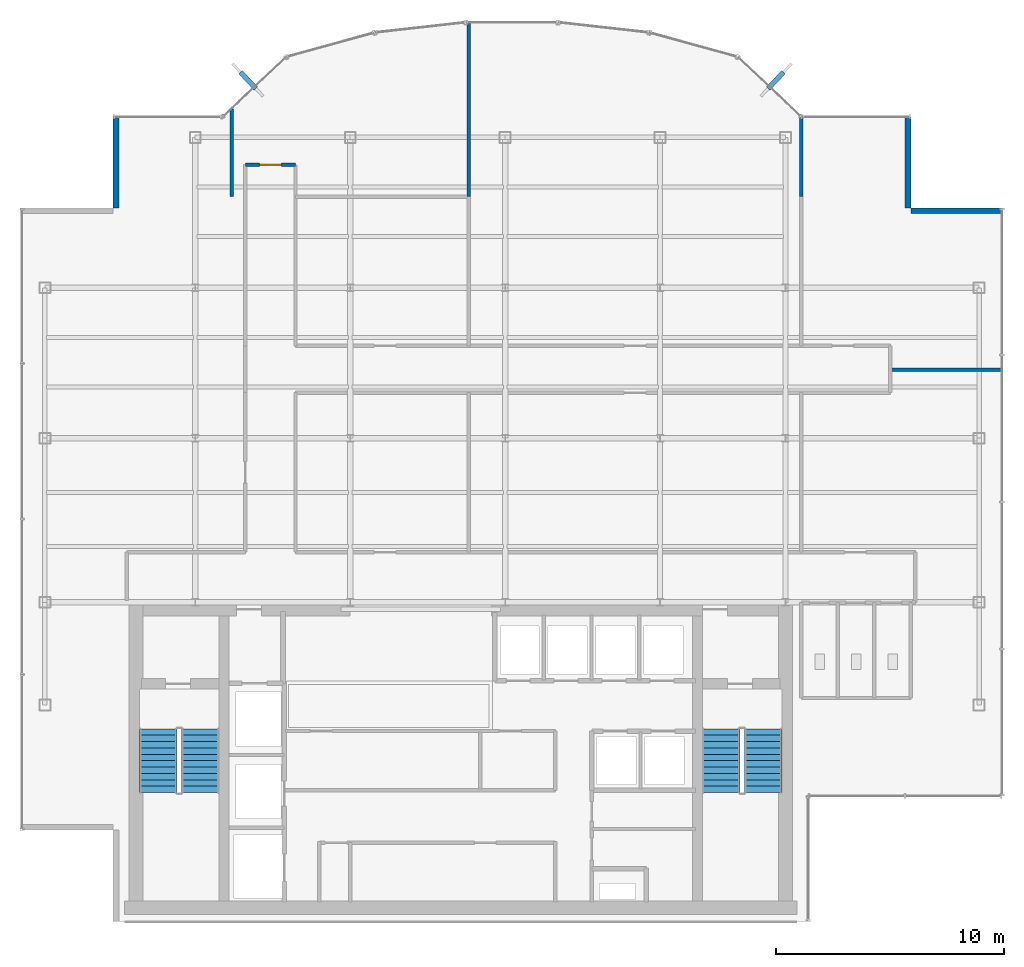
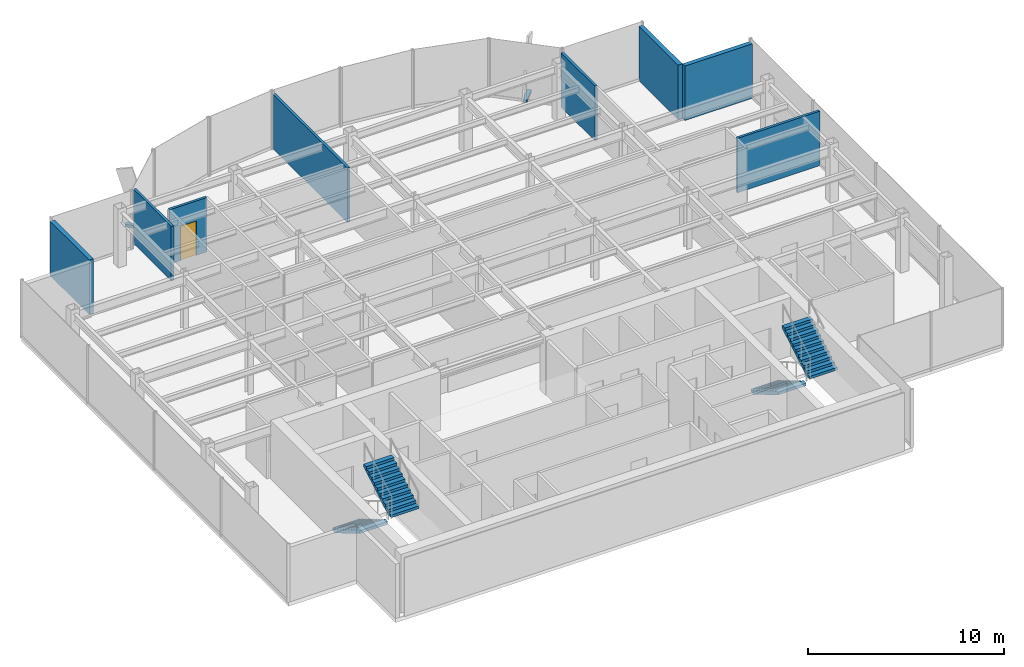
# One storey, part 19 of 22: 8 walls, 4 stair flights, 2 discrete accessories, 1 door, 1 opening, 2 elements without a shape of their own.
"""IFC4 building model written with IfcOpenShell, lengths in metres."""

from ifc_helpers import new_model, si_unit, derived_unit, direction, frame, frame_2d, origin, origin_2d, place, context, subcontext, project, spatial, polyline, rectangle, outline, extrude, source, transform, mapped, material, layer, layer_set, type_object, element, fill, aggregate, save


model = new_model("IFC4")

# Units and contexts
model_context = context("Model", 3, precision=1e-05, world=origin(), true_north=direction((0.0, 1.0)))
body_context = subcontext(model_context, "Body", "Model", "MODEL_VIEW")
ifc_project = project(units=[si_unit("LENGTHUNIT", "METRE"), si_unit("AREAUNIT", "SQUARE_METRE"), si_unit("VOLUMEUNIT", "CUBIC_METRE"), si_unit("PLANEANGLEUNIT", "RADIAN"), si_unit("MASSUNIT", "GRAM", prefix="KILO"), derived_unit("THERMALTRANSMITTANCEUNIT", [(si_unit("POWERUNIT", "WATT"), 1), (si_unit("LENGTHUNIT", "METRE"), -2), (si_unit("THERMODYNAMICTEMPERATUREUNIT", "KELVIN"), -1)])], contexts=[model_context])

# Site, building, storey
site_placement = place(None, origin())
site = spatial("IfcSite", under=ifc_project, at=site_placement, CompositionType="ELEMENT")
building_placement = place(site_placement, origin())
building = spatial("IfcBuilding", under=site, at=building_placement, Name="Skarnbrae Concourse Arena and Tower", CompositionType="ELEMENT")
storey_placement = place(building_placement, frame((0.0, 0.0, 210.5)))
storey = spatial("IfcBuildingStorey", under=building, at=storey_placement, Name="L54", CompositionType="ELEMENT", Elevation=210.5)

# Walls
ifc_material_1 = material(Name="Precast concrete 40 MPa (C40/50)", Category="concrete")
ifc_layer_1 = layer(ifc_material_1, 0.25)
ifc_layer_set_1 = layer_set([ifc_layer_1], Name="Precast concrete 40 MPa (C40/50)")
wall_type_1 = type_object("IfcWallType", Name="WALL-EXT-SPANDREL-250", PredefinedType="STANDARD", material=ifc_layer_set_1)
shared_shape_1 = source(origin(), body_context, "Body", "SweptSolid", [
    extrude(rectangle(XDim=4.0, YDim=0.25, at=frame_2d((2.0, 0.0))), origin(), (0.0, 0.0, 1.0), 3.39990234375),
])
for number, where, z_axis, x_axis, name in (
    (1, (43.0, 31.175048828125, 0.0), (0.0, 0.0, 1.0), (-1.0, 0.0, 0.0), "L54 Notched corner insulated return wall 05"),
    (2, (38.875, 31.300048828125, 0.0), (0.0, 0.0, 1.0), (0.0, 1.0, 0.0), "L54 Notched corner insulated return wall 06"),
    (3, (4.125, 35.300048828125, 0.0), (0.0, 0.0, 1.0), (0.0, -1.0, 0.0), "L54 Notched corner insulated return wall 16"),
):
    element("IfcWall", number, at=place(storey_placement, frame(where, z_axis=z_axis, x_axis=x_axis)), inside=storey, type_object=wall_type_1, Name=name, PredefinedType="STANDARD", context=body_context, shape_type="MappedRepresentation", body=[
        mapped(shared_shape_1, transform((0.0, 0.0, 0.0))),
    ])

# Wall, opening, door
ifc_material_2 = material(Name="Gypsum board on cold-formed steel studs", Category="steel")
ifc_layer_2 = layer(ifc_material_2, 0.14990234375)
ifc_layer_set_2 = layer_set([ifc_layer_2], Name="Gypsum board on cold-formed steel studs")
wall_type_2 = type_object("IfcWallType", Name="WALL-PART-150-1HR", PredefinedType="PARTITIONING", material=ifc_layer_set_2)
shared_shape_2 = source(origin(), body_context, "Body", "SweptSolid", [
    extrude(rectangle(XDim=2.199951171875, YDim=0.14990234375, at=frame_2d((1.10009765625, 0.0))), origin(), (0.0, 0.0, 1.0), 3.39990234375),
])
wall_1_placement = place(storey_placement, frame((9.800048828125, 33.199951171875, 0.0), z_axis=(0.0, 0.0, 1.0), x_axis=(1.0, 0.0, 0.0)))
wall_1 = element("IfcWall", 4, at=wall_1_placement, inside=storey, type_object=wall_type_2, Name="L54 Interior partition wall W-L54-COR-06", PredefinedType="PARTITIONING", context=body_context, shape_type="MappedRepresentation", body=[
    mapped(shared_shape_2, transform((0.0, 0.0, 0.0))),
])
opening_placement = place(wall_1_placement, frame((0.625, 0.0, 0.0)))
opening = element("IfcOpeningElement", 5, at=opening_placement, cuts=wall_1, Name="Opening DT-04", PredefinedType="OPENING", context=body_context, shape_type="SweptSolid", body=[
    extrude(rectangle(XDim=0.949951171875, YDim=2.14990234375, at=frame_2d((0.47509765625, 1.074951171875))), frame((0.0, 0.0849609375, 0.0), z_axis=(0.0, -1.0, 0.0), x_axis=(1.0, 0.0, 0.0)), (0.0, 0.0, 1.0), 0.169921875),
])
ifc_material_3 = material(Name="Steel CSA G40.21 350W", Category="steel")
door_type = type_object("IfcDoorType", Name="DOOR-INT-950-45M", OperationType="NOTDEFINED", PredefinedType="DOOR", material=ifc_material_3)
shared_shape_3 = source(origin(), body_context, "Body", "SweptSolid", [
    extrude(rectangle(XDim=0.949951171875, YDim=2.14990234375, at=frame_2d((0.47509765625, 1.074951171875))), frame((0.0, 0.02490234375, 0.0), z_axis=(0.0, -1.0, 0.0), x_axis=(1.0, 0.0, 0.0)), (0.0, 0.0, 1.0), 0.050048828125),
])
door_placement = place(opening_placement, origin())
door = element("IfcDoor", 6, at=door_placement, inside=storey, type_object=door_type, Name="D-1665 L54 Suite Door 02", OperationType="SINGLE_SWING_LEFT", OverallHeight=2.14990234375, OverallWidth=0.949951171875, PredefinedType="DOOR", context=body_context, shape_type="MappedRepresentation", body=[
    mapped(shared_shape_3, transform((0.0, 0.0, 0.0))),
])
fill(opening, door)

# Walls
ifc_layer_3 = layer(ifc_material_2, 0.14990234375)
ifc_layer_set_3 = layer_set([ifc_layer_3], Name="Gypsum board on cold-formed steel studs")
wall_type_3 = type_object("IfcWallType", Name="WALL-PART-150", PredefinedType="PARTITIONING", material=ifc_layer_set_3)
shared_shape_4 = source(origin(), body_context, "Body", "SweptSolid", [
    extrude(rectangle(XDim=3.84912109375, YDim=0.14990234375, at=frame_2d((1.924560546875, 0.0))), origin(), (0.0, 0.0, 1.0), 3.39990234375),
])
wall_2_placement = place(storey_placement, frame((9.199951171875, 35.649169921875, 0.0), z_axis=(0.0, 0.0, 1.0), x_axis=(0.0, -1.0, 0.0)))
element("IfcWall", 7, at=wall_2_placement, inside=storey, type_object=wall_type_3, Name="L54 Interior partition wall W-L54-DEM-15", PredefinedType="PARTITIONING", context=body_context, shape_type="MappedRepresentation", body=[
    mapped(shared_shape_4, transform((0.0, 0.0, 0.0))),
])
shared_shape_5 = source(origin(), body_context, "Body", "SweptSolid", [
    extrude(rectangle(XDim=7.626708984375, YDim=0.14990234375, at=frame_2d((3.8134765625, 0.0))), origin(), (0.0, 0.0, 1.0), 3.39990234375),
])
wall_3_placement = place(storey_placement, frame((19.60009765625, 39.4267578125, 0.0), z_axis=(0.0, 0.0, 1.0), x_axis=(0.0, -1.0, 0.0)))
element("IfcWall", 8, at=wall_3_placement, inside=storey, type_object=wall_type_3, Name="L54 Interior partition wall W-L54-DEM-19", PredefinedType="PARTITIONING", context=body_context, shape_type="MappedRepresentation", body=[
    mapped(shared_shape_5, transform((0.0, 0.0, 0.0))),
])
shared_shape_6 = source(origin(), body_context, "Body", "SweptSolid", [
    extrude(rectangle(XDim=3.47998046875, YDim=0.14990234375, at=frame_2d((1.739990234375, 0.0))), origin(), (0.0, 0.0, 1.0), 3.39990234375),
])
wall_4_placement = place(storey_placement, frame((34.199951171875, 35.280029296875, 0.0), z_axis=(0.0, 0.0, 1.0), x_axis=(0.0, -1.0, 0.0)))
element("IfcWall", 9, at=wall_4_placement, inside=storey, type_object=wall_type_3, Name="L54 Interior partition wall W-L54-DEM-21", PredefinedType="PARTITIONING", context=body_context, shape_type="MappedRepresentation", body=[
    mapped(shared_shape_6, transform((0.0, 0.0, 0.0))),
])
shared_shape_7 = source(origin(), body_context, "Body", "SweptSolid", [
    extrude(rectangle(XDim=4.8798828125, YDim=0.14990234375, at=frame_2d((2.43994140625, 0.0))), origin(), (0.0, 0.0, 1.0), 3.39990234375),
])
wall_5_placement = place(storey_placement, frame((42.97998046875, 24.199951171875, 0.0), z_axis=(0.0, 0.0, 1.0), x_axis=(-1.0, 0.0, 0.0)))
element("IfcWall", 10, at=wall_5_placement, inside=storey, type_object=wall_type_3, Name="L54 Interior partition wall W-L54-DEM-23", PredefinedType="PARTITIONING", context=body_context, shape_type="MappedRepresentation", body=[
    mapped(shared_shape_7, transform((0.0, 0.0, 0.0))),
])

# Stair, stair flights
ifc_material_4 = material(Name="Concrete 40 MPa (C40/50)", Category="concrete")
stair_type = type_object("IfcStairType", Name="STAIR-DOGLEG-1650", PredefinedType="HALF_TURN_STAIR", material=ifc_material_4)
stair_1_placement = place(storey_placement, origin())
stair_1 = element("IfcStair", 11, at=stair_1_placement, inside=storey, type_object=stair_type, Name="L54 Protected Exit Stair ST-1", PredefinedType="HALF_TURN_STAIR")
stair_flight_type = type_object("IfcStairFlightType", Name="FLIGHT-STRAIGHT-1650", PredefinedType="STRAIGHT", material=ifc_material_4)
shared_shape_8 = source(origin(), body_context, "Body", "SweptSolid", [
    extrude(outline(polyline([(0.0, 0.0), (0.0, 0.166015625), (0.280029296875, 0.166015625), (0.280029296875, 0.331787109375), (0.56005859375, 0.331787109375), (0.56005859375, 0.497802734375), (0.840087890625, 0.497802734375), (0.840087890625, 0.66357421875), (1.1201171875, 0.66357421875), (1.1201171875, 0.82958984375), (1.39990234375, 0.82958984375), (1.39990234375, 0.995361328125), (1.679931640625, 0.995361328125), (1.679931640625, 1.161376953125), (1.9599609375, 1.161376953125), (1.9599609375, 1.327392578125), (2.239990234375, 1.327392578125), (2.239990234375, 1.4931640625), (2.52001953125, 1.4931640625), (2.52001953125, 1.6591796875), (2.800048828125, 1.6591796875), (2.800048828125, 1.824951171875), (2.800048828125, 1.48486328125), (0.2939453125, 0.0), (0.0, 0.0)])), frame((0.0, 0.824951171875, 0.0), z_axis=(0.0, -1.0, 0.0), x_axis=(1.0, 0.0, 0.0)), (0.0, 0.0, 1.0), 1.64990234375),
])
stair_flight_1_placement = place(storey_placement, frame((5.97509765625, 8.449951171875, 0.0), z_axis=(0.0, 0.0, 1.0), x_axis=(0.0, -1.0, 0.0)))
stair_flight_1 = element("IfcStairFlight", 12, at=stair_flight_1_placement, type_object=stair_flight_type, Name="ST-1 flight 1", NumberOfRisers=11, NumberOfTreads=10, PredefinedType="STRAIGHT", RiserHeight=0.165909091, TreadLength=0.28, context=body_context, shape_type="MappedRepresentation", body=[
    mapped(shared_shape_8, transform((0.0, 0.0, 0.0))),
])
stair_flight_2_placement = place(storey_placement, frame((7.824951171875, 5.64990234375, 1.824951171875), z_axis=(0.0, 0.0, 1.0), x_axis=(0.0, 1.0, 0.0)))
stair_flight_2 = element("IfcStairFlight", 13, at=stair_flight_2_placement, type_object=stair_flight_type, Name="ST-1 flight 2", NumberOfRisers=11, NumberOfTreads=10, PredefinedType="STRAIGHT", RiserHeight=0.165909091, TreadLength=0.28, context=body_context, shape_type="MappedRepresentation", body=[
    mapped(shared_shape_8, transform((0.0, 0.0, 0.0))),
])
aggregate(stair_1, [stair_flight_1, stair_flight_2])

stair_2_placement = place(storey_placement, origin())
stair_2 = element("IfcStair", 14, at=stair_2_placement, inside=storey, type_object=stair_type, Name="L54 Protected Exit Stair ST-2", PredefinedType="HALF_TURN_STAIR")
stair_flight_3_placement = place(storey_placement, frame((30.675048828125, 8.449951171875, 0.0), z_axis=(0.0, 0.0, 1.0), x_axis=(0.0, -1.0, 0.0)))
stair_flight_3 = element("IfcStairFlight", 15, at=stair_flight_3_placement, type_object=stair_flight_type, Name="ST-2 flight 1", NumberOfRisers=11, NumberOfTreads=10, PredefinedType="STRAIGHT", RiserHeight=0.165909091, TreadLength=0.28, context=body_context, shape_type="MappedRepresentation", body=[
    mapped(shared_shape_8, transform((0.0, 0.0, 0.0))),
])
stair_flight_4_placement = place(storey_placement, frame((32.52490234375, 5.64990234375, 1.824951171875), z_axis=(0.0, 0.0, 1.0), x_axis=(0.0, 1.0, 0.0)))
stair_flight_4 = element("IfcStairFlight", 16, at=stair_flight_4_placement, type_object=stair_flight_type, Name="ST-2 flight 2", NumberOfRisers=11, NumberOfTreads=10, PredefinedType="STRAIGHT", RiserHeight=0.165909091, TreadLength=0.28, context=body_context, shape_type="MappedRepresentation", body=[
    mapped(shared_shape_8, transform((0.0, 0.0, 0.0))),
])
aggregate(stair_2, [stair_flight_3, stair_flight_4])

# Discrete accessories
ifc_material_5 = material(Name="Bronze anodised aluminium 6063-T6", Category="aluminium")
discrete_accessory_type = type_object("IfcDiscreteAccessoryType", Name="ACC-FIN-BRACKET", PredefinedType="BRACKET", material=ifc_material_5)
shared_shape_9 = source(origin(), body_context, "Body", "SweptSolid", [
    extrude(rectangle(XDim=0.219970703125, YDim=0.97998046875, at=origin_2d()), origin(), (0.0, 0.0, 1.0), 0.179931640625),
])
for number, where, z_axis, x_axis, name in (
    (17, (33.0791015625, 36.904541015625, -0.02978515625), (0.0, 0.0, 1.0), (0.728131751529, -0.685437198009, 0.0), "L54 Bronze fin foot support bracket 08"),
    (18, (9.9208984375, 36.904541015625, -0.02978515625), (0.0, 0.0, 1.0), (0.728131751529, 0.685437198009, 0.0), "L54 Bronze fin foot support bracket 14"),
):
    element("IfcDiscreteAccessory", number, at=place(storey_placement, frame(where, z_axis=z_axis, x_axis=x_axis)), inside=storey, type_object=discrete_accessory_type, Name=name, PredefinedType="BRACKET", context=body_context, shape_type="MappedRepresentation", body=[
        mapped(shared_shape_9, transform((0.0, 0.0, 0.0))),
    ])

save(model, "model.ifc")
